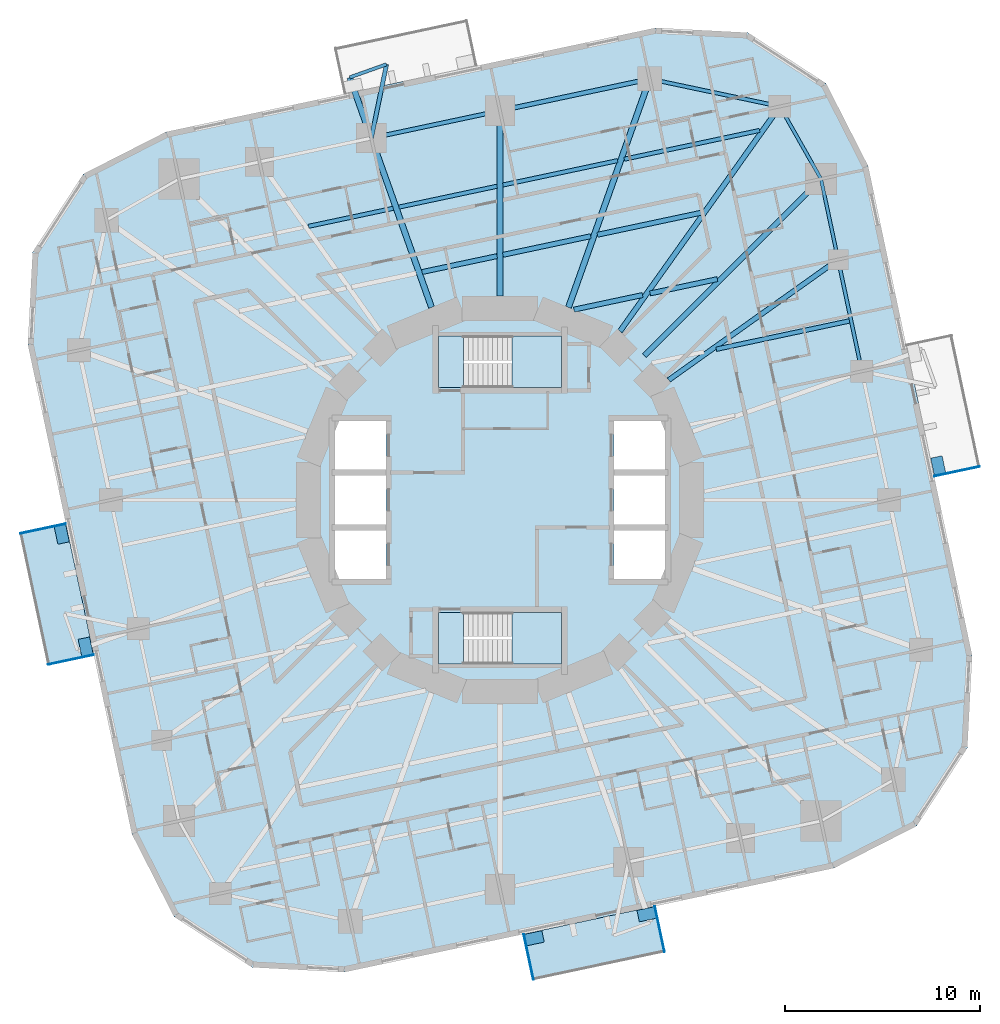
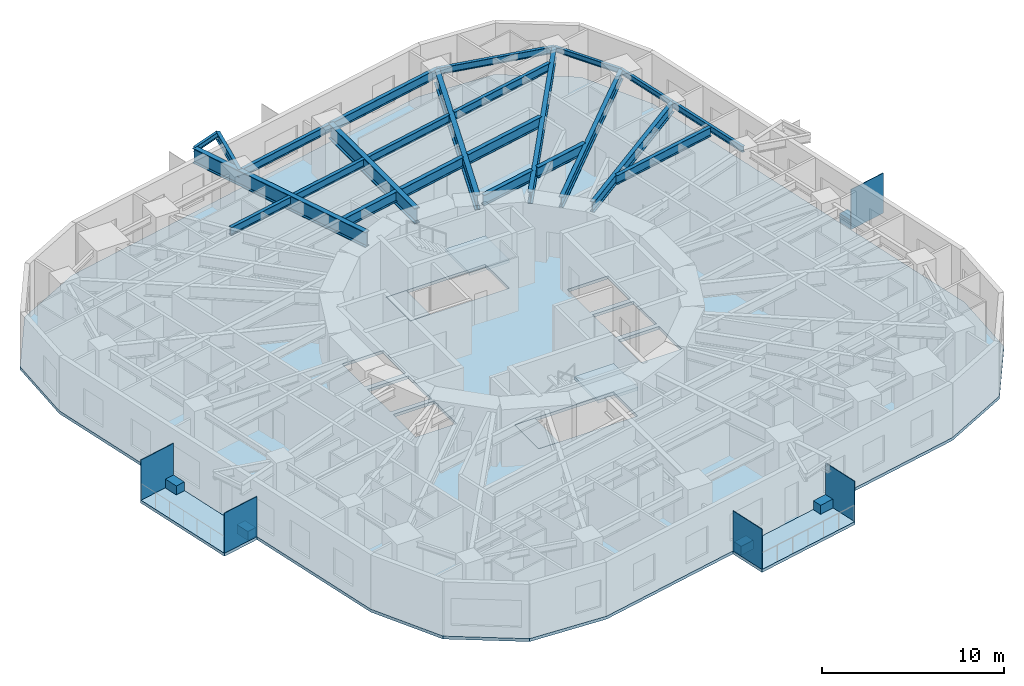
# One storey, part 3 of 14: 24 beams, 10 plates, 7 slabs, 2 elements without a shape of their own.
"""IFC4 building model written with IfcOpenShell, lengths in metres."""

from ifc_helpers import new_model, si_unit, direction, frame, origin, origin_2d, place, context, subcontext, project, spatial, polyline, rectangle, i_section, outline, extrude, material, layer, layer_set, material_profile, profile_set, type_object, element, aggregate, save


model = new_model("IFC4")

# Units and contexts
model_context = context("Model", 3, precision=1e-05, world=origin(), true_north=direction((0.0, 1.0)))
body_context = subcontext(model_context, "Body", "Model", "MODEL_VIEW")
ifc_project = project(units=[si_unit("LENGTHUNIT", "METRE"), si_unit("AREAUNIT", "SQUARE_METRE"), si_unit("VOLUMEUNIT", "CUBIC_METRE"), si_unit("PLANEANGLEUNIT", "RADIAN"), si_unit("MASSUNIT", "GRAM", prefix="KILO")], contexts=[model_context])

# Site, building, storey
site_placement = place(None, origin())
site = spatial("IfcSite", under=ifc_project, at=site_placement, CompositionType="ELEMENT")
building_placement = place(site_placement, origin())
building = spatial("IfcBuilding", under=site, at=building_placement, Name="Nakasero Lantern House", CompositionType="ELEMENT")
storey_placement = place(building_placement, frame((0.0, 0.0, 116.550048828125)))
storey = spatial("IfcBuildingStorey", under=building, at=storey_placement, Name="L28", CompositionType="ELEMENT", Elevation=116.550048828125)

# Beams
ifc_material_1 = material(Name="Steel S355", Category="steel")
ifc_material_profile_1 = material_profile(ifc_material_1, i_section(OverallWidth=0.2138671875, OverallDepth=0.549072265625, WebThickness=0.0146484375, FlangeThickness=0.023681640625, FilletRadius=0.0126953125, at=origin_2d()), Name="UB 533x210x138")
ifc_profile_set_1 = profile_set([ifc_material_profile_1], Name="Steel S355")
beam_type_1 = type_object("IfcBeamType", Name="Balcony splay beam UB 533x210x138", PredefinedType="BEAM", material=ifc_profile_set_1)
beam_1_placement = place(storey_placement, frame((-6.590087890625, 18.534912109375, 3.37548828125), z_axis=(0.201831438605, 0.979420272605, 0.0), x_axis=(-0.979420272605, 0.201831438605, 0.0)))
element("IfcBeam", 1, at=beam_1_placement, inside=storey, type_object=beam_type_1, Name="Balcony splay beam L29 B3-C10A", PredefinedType="BEAM", context=body_context, shape_type="SweptSolid", body=[
    extrude(i_section(OverallWidth=0.2138671875, OverallDepth=0.549072265625, WebThickness=0.0146484375, FlangeThickness=0.023681640625, FilletRadius=0.0126953125, at=origin_2d()), origin(), (0.0, 0.0, 1.0), 3.858642578125),
])
ifc_material_2 = material(Name="Steel S355", Category="steel")
ifc_material_profile_2 = material_profile(ifc_material_2, i_section(OverallWidth=0.17138671875, OverallDepth=0.35498046875, WebThickness=0.00732421875, FlangeThickness=0.011474609375, FilletRadius=0.01025390625, at=origin_2d()), Name="UB 356x171x51")
ifc_profile_set_2 = profile_set([ifc_material_profile_2], Name="Steel S355")
beam_type_2 = type_object("IfcBeamType", Name="Balcony tie beam UB 356x171x51", PredefinedType="BEAM", material=ifc_profile_set_2)
beam_2_placement = place(storey_placement, frame((-5.811279296875, 22.314208984375, 3.472412109375), z_axis=(-0.942196708721, -0.335060236487, 0.0), x_axis=(0.335060236487, -0.942196708721, 0.0)))
element("IfcBeam", 2, at=beam_2_placement, inside=storey, type_object=beam_type_2, Name="Balcony tie beam L29 B3-C10", PredefinedType="BEAM", context=body_context, shape_type="SweptSolid", body=[
    extrude(i_section(OverallWidth=0.17138671875, OverallDepth=0.35498046875, WebThickness=0.00732421875, FlangeThickness=0.011474609375, FilletRadius=0.01025390625, at=origin_2d()), origin(), (0.0, 0.0, 1.0), 2.000244140625),
])
ifc_material_3 = material(Name="Steel S355", Category="steel")
ifc_material_profile_3 = material_profile(ifc_material_3, i_section(OverallWidth=0.2099609375, OverallDepth=0.53662109375, WebThickness=0.0107421875, FlangeThickness=0.017333984375, FilletRadius=0.0126953125, at=origin_2d()), Name="UB 533x210x101")
ifc_profile_set_3 = profile_set([ifc_material_profile_3], Name="Steel S355")
beam_type_3 = type_object("IfcBeamType", Name="Infill beam UB 533x210x101", PredefinedType="JOIST", material=ifc_profile_set_3)
beam_3_placement = place(storey_placement, frame((-9.810302734375, 14.0166015625, 3.381591796875), z_axis=(0.978149057111, 0.207904838982, 0.0), x_axis=(-0.207904838982, 0.978149057111, 0.0)))
element("IfcBeam", 3, at=beam_3_placement, inside=storey, type_object=beam_type_3, Name="Infill beam L29 12.4", PredefinedType="JOIST", context=body_context, shape_type="SweptSolid", body=[
    extrude(i_section(OverallWidth=0.2099609375, OverallDepth=0.53662109375, WebThickness=0.0107421875, FlangeThickness=0.017333984375, FilletRadius=0.0126953125, at=origin_2d()), origin(), (0.0, 0.0, 1.0), 4.435302734375),
])
beam_4_placement = place(storey_placement, frame((-5.173828125, 15.002197265625, 3.381591796875), z_axis=(0.978153894908, 0.207882076853, 0.0), x_axis=(-0.207882076853, 0.978153894908, 0.0)))
element("IfcBeam", 4, at=beam_4_placement, inside=storey, type_object=beam_type_3, Name="Infill beam L29 12.5", PredefinedType="JOIST", context=body_context, shape_type="SweptSolid", body=[
    extrude(i_section(OverallWidth=0.2099609375, OverallDepth=0.53662109375, WebThickness=0.0107421875, FlangeThickness=0.017333984375, FilletRadius=0.0126953125, at=origin_2d()), origin(), (0.0, 0.0, 1.0), 5.13330078125),
])
beam_5_placement = place(storey_placement, frame((0.152587890625, 16.13427734375, 3.381591796875), z_axis=(0.978149438519, 0.207903044531, 0.0), x_axis=(-0.207903044531, 0.978149438519, 0.0)))
element("IfcBeam", 5, at=beam_5_placement, inside=storey, type_object=beam_type_3, Name="Infill beam L29 12.6", PredefinedType="JOIST", context=body_context, shape_type="SweptSolid", body=[
    extrude(i_section(OverallWidth=0.2099609375, OverallDepth=0.53662109375, WebThickness=0.0107421875, FlangeThickness=0.017333984375, FilletRadius=0.0126953125, at=origin_2d()), origin(), (0.0, 0.0, 1.0), 5.99951171875),
])
beam_6_placement = place(storey_placement, frame((6.365478515625, 17.454833984375, 3.381591796875), z_axis=(0.978149480204, 0.207902848411, 0.0), x_axis=(-0.207902848411, 0.978149480204, 0.0)))
element("IfcBeam", 6, at=beam_6_placement, inside=storey, type_object=beam_type_3, Name="Infill beam L29 12.7", PredefinedType="JOIST", context=body_context, shape_type="SweptSolid", body=[
    extrude(i_section(OverallWidth=0.2099609375, OverallDepth=0.53662109375, WebThickness=0.0107421875, FlangeThickness=0.017333984375, FilletRadius=0.0126953125, at=origin_2d()), origin(), (0.0, 0.0, 1.0), 7.085693359375),
])
ifc_material_4 = material(Name="Steel S355", Category="steel")
ifc_material_profile_4 = material_profile(ifc_material_4, i_section(OverallWidth=0.2275390625, OverallDepth=0.6025390625, WebThickness=0.010498046875, FlangeThickness=0.014892578125, FilletRadius=0.0126953125, at=origin_2d()), Name="UB 610x229x101")
ifc_profile_set_4 = profile_set([ifc_material_profile_4], Name="Steel S355")
beam_type_4 = type_object("IfcBeamType", Name="Infill beam UB 610x229x101", PredefinedType="JOIST", material=ifc_profile_set_4)
beam_7_placement = place(storey_placement, frame((11.077880859375, 7.721923828125, 3.3486328125), z_axis=(0.978143535939, 0.207930813255, 0.0), x_axis=(-0.207930813255, 0.978143535939, 0.0)))
element("IfcBeam", 7, at=beam_7_placement, inside=storey, type_object=beam_type_4, Name="Infill beam L29 09.3", PredefinedType="JOIST", context=body_context, shape_type="SweptSolid", body=[
    extrude(i_section(OverallWidth=0.2275390625, OverallDepth=0.6025390625, WebThickness=0.010498046875, FlangeThickness=0.014892578125, FilletRadius=0.0126953125, at=origin_2d()), origin(), (0.0, 0.0, 1.0), 6.9697265625),
])
ifc_material_5 = material(Name="Steel S355", Category="steel")
ifc_material_profile_5 = material_profile(ifc_material_5, i_section(OverallWidth=0.253662109375, OverallDepth=0.68359375, WebThickness=0.012451171875, FlangeThickness=0.01904296875, FilletRadius=0.01513671875, at=origin_2d()), Name="UB 686x254x140")
ifc_profile_set_5 = profile_set([ifc_material_profile_5], Name="Steel S355")
beam_type_5 = type_object("IfcBeamType", Name="Infill beam UB 686x254x140", PredefinedType="JOIST", material=ifc_profile_set_5)
beam_8_placement = place(storey_placement, frame((-3.990966796875, 11.67529296875, 3.30810546875), z_axis=(0.978145250615, 0.20792274695, 0.0), x_axis=(-0.20792274695, 0.978145250615, 0.0)))
element("IfcBeam", 8, at=beam_8_placement, inside=storey, type_object=beam_type_5, Name="Infill beam L29 11.4", PredefinedType="JOIST", context=body_context, shape_type="SweptSolid", body=[
    extrude(i_section(OverallWidth=0.253662109375, OverallDepth=0.68359375, WebThickness=0.012451171875, FlangeThickness=0.01904296875, FilletRadius=0.01513671875, at=origin_2d()), origin(), (0.0, 0.0, 1.0), 3.924072265625),
])
beam_9_placement = place(storey_placement, frame((0.152587890625, 12.55615234375, 3.30810546875), z_axis=(0.978148041119, 0.207909618957, 0.0), x_axis=(-0.207909618957, 0.978148041119, 0.0)))
element("IfcBeam", 9, at=beam_9_placement, inside=storey, type_object=beam_type_5, Name="Infill beam L29 11.5", PredefinedType="JOIST", context=body_context, shape_type="SweptSolid", body=[
    extrude(i_section(OverallWidth=0.253662109375, OverallDepth=0.68359375, WebThickness=0.012451171875, FlangeThickness=0.01904296875, FilletRadius=0.01513671875, at=origin_2d()), origin(), (0.0, 0.0, 1.0), 4.592529296875),
])
beam_10_placement = place(storey_placement, frame((4.989013671875, 13.584228515625, 3.30810546875), z_axis=(0.978155764637, 0.207873278962, 0.0), x_axis=(-0.207873278962, 0.978155764637, 0.0)))
element("IfcBeam", 10, at=beam_10_placement, inside=storey, type_object=beam_type_5, Name="Infill beam L29 11.6", PredefinedType="JOIST", context=body_context, shape_type="SweptSolid", body=[
    extrude(i_section(OverallWidth=0.253662109375, OverallDepth=0.68359375, WebThickness=0.012451171875, FlangeThickness=0.01904296875, FilletRadius=0.01513671875, at=origin_2d()), origin(), (0.0, 0.0, 1.0), 5.428466796875),
])
ifc_material_6 = material(Name="Steel S355", Category="steel")
ifc_material_profile_6 = material_profile(ifc_material_6, i_section(OverallWidth=0.255859375, OverallDepth=0.69287109375, WebThickness=0.014404296875, FlangeThickness=0.023681640625, FilletRadius=0.01513671875, at=origin_2d()), Name="UB 686x254x170")
ifc_profile_set_6 = profile_set([ifc_material_profile_6], Name="Steel S355")
beam_type_6 = type_object("IfcBeamType", Name="Infill beam UB 686x254x170", PredefinedType="JOIST", material=ifc_profile_set_6)
beam_11_placement = place(storey_placement, frame((3.78759765625, 9.75048828125, 3.303466796875), z_axis=(0.978149176892, 0.207904275439, 0.0), x_axis=(-0.207904275439, 0.978149176892, 0.0)))
element("IfcBeam", 11, at=beam_11_placement, inside=storey, type_object=beam_type_6, Name="Infill beam L29 10.4", PredefinedType="JOIST", context=body_context, shape_type="SweptSolid", body=[
    extrude(i_section(OverallWidth=0.255859375, OverallDepth=0.69287109375, WebThickness=0.014404296875, FlangeThickness=0.023681640625, FilletRadius=0.01513671875, at=origin_2d()), origin(), (0.0, 0.0, 1.0), 3.59228515625),
])
beam_12_placement = place(storey_placement, frame((7.686767578125, 10.579345703125, 3.303466796875), z_axis=(0.97814493323, 0.20792424004, 0.0), x_axis=(-0.20792424004, 0.97814493323, 0.0)))
element("IfcBeam", 12, at=beam_12_placement, inside=storey, type_object=beam_type_6, Name="Infill beam L29 10.5", PredefinedType="JOIST", context=body_context, shape_type="SweptSolid", body=[
    extrude(i_section(OverallWidth=0.255859375, OverallDepth=0.69287109375, WebThickness=0.014404296875, FlangeThickness=0.023681640625, FilletRadius=0.01513671875, at=origin_2d()), origin(), (0.0, 0.0, 1.0), 3.5224609375),
])
ifc_material_7 = material(Name="Steel S355", Category="steel")
ifc_material_profile_7 = material_profile(ifc_material_7, i_section(OverallWidth=0.300048828125, OverallDepth=0.989990234375, WebThickness=0.0166015625, FlangeThickness=0.031005859375, FilletRadius=0.030029296875, at=origin_2d()), Name="UB 1016x305x272")
ifc_profile_set_7 = profile_set([ifc_material_profile_7], Name="Steel S355")
beam_type_7 = type_object("IfcBeamType", Name="Primary beam UB 1016x305x272, span 12 to 15 m", PredefinedType="BEAM", material=ifc_profile_set_7)
beam_13_placement = place(storey_placement, frame((7.667724609375, 21.5654296875, 3.15478515625), z_axis=(-0.335011995103, -0.942213862739, 0.0), x_axis=(0.942213862739, -0.335011995103, 0.0)))
element("IfcBeam", 13, at=beam_13_placement, inside=storey, type_object=beam_type_7, Name="Primary beam L29 B3-C08", PredefinedType="BEAM", context=body_context, shape_type="SweptSolid", body=[
    extrude(i_section(OverallWidth=0.300048828125, OverallDepth=0.989990234375, WebThickness=0.0166015625, FlangeThickness=0.031005859375, FilletRadius=0.030029296875, at=origin_2d()), origin(), (0.0, 0.0, 1.0), 12.41650390625),
])
ifc_material_8 = material(Name="Steel S355", Category="steel")
ifc_material_profile_8 = material_profile(ifc_material_8, i_section(OverallWidth=0.302001953125, OverallDepth=1.008056640625, WebThickness=0.02099609375, FlangeThickness=0.0400390625, FilletRadius=0.030029296875, at=origin_2d()), Name="UB 1016x305x349")
ifc_profile_set_8 = profile_set([ifc_material_profile_8], Name="Steel S355")
beam_type_8 = type_object("IfcBeamType", Name="Primary beam UB 1016x305x349, span 9 to 12 m", PredefinedType="BEAM", material=ifc_profile_set_8)
beam_14_placement = place(storey_placement, frame((-7.69580078125, 21.64404296875, 3.14599609375), z_axis=(0.335020841845, -0.942210717159, 0.0), x_axis=(0.942210717159, 0.335020841845, 0.0)))
element("IfcBeam", 14, at=beam_14_placement, inside=storey, type_object=beam_type_8, Name="Primary beam L29 B3-C10", PredefinedType="BEAM", context=body_context, shape_type="SweptSolid", body=[
    extrude(i_section(OverallWidth=0.302001953125, OverallDepth=1.008056640625, WebThickness=0.02099609375, FlangeThickness=0.0400390625, FilletRadius=0.030029296875, at=origin_2d()), origin(), (0.0, 0.0, 1.0), 12.5),
])
ifc_material_9 = material(Name="Steel S355", Category="steel")
ifc_material_profile_9 = material_profile(ifc_material_9, i_section(OverallWidth=0.305419921875, OverallDepth=1.026123046875, WebThickness=0.02685546875, FlangeThickness=0.049072265625, FilletRadius=0.030029296875, at=origin_2d()), Name="UB 1016x305x437")
ifc_profile_set_9 = profile_set([ifc_material_profile_9], Name="Steel S355")
beam_type_9 = type_object("IfcBeamType", Name="Primary beam UB 1016x305x437, span 9 to 12 m", PredefinedType="BEAM", material=ifc_profile_set_9)
beam_15_placement = place(storey_placement, frame((0.0, 19.935546875, 3.136962890625), z_axis=(0.0, -1.0, 0.0), x_axis=(1.0, 0.0, 0.0)))
element("IfcBeam", 15, at=beam_15_placement, inside=storey, type_object=beam_type_9, Name="Primary beam L29 B3-C09", PredefinedType="BEAM", context=body_context, shape_type="SweptSolid", body=[
    extrude(i_section(OverallWidth=0.305419921875, OverallDepth=1.026123046875, WebThickness=0.02685546875, FlangeThickness=0.049072265625, FilletRadius=0.030029296875, at=origin_2d()), origin(), (0.0, 0.0, 1.0), 9.477783203125),
])
ifc_material_10 = material(Name="Steel S355", Category="steel")
ifc_material_profile_10 = material_profile(ifc_material_10, i_section(OverallWidth=0.253662109375, OverallDepth=0.68359375, WebThickness=0.012451171875, FlangeThickness=0.01904296875, FilletRadius=0.01513671875, at=origin_2d()), Name="UB 686x254x140")
ifc_profile_set_10 = profile_set([ifc_material_profile_10], Name="Steel S355")
beam_type_10 = type_object("IfcBeamType", Name="Primary beam UB 686x254x140, span 12 to 15 m", PredefinedType="BEAM", material=ifc_profile_set_10)
beam_16_placement = place(storey_placement, frame((16.44091796875, 16.44091796875, 3.30810546875), z_axis=(-0.707106781187, -0.707106781187, 0.0), x_axis=(0.707106781187, -0.707106781187, 0.0)))
element("IfcBeam", 16, at=beam_16_placement, inside=storey, type_object=beam_type_10, Name="Primary beam L29 B3-C06", PredefinedType="BEAM", context=body_context, shape_type="SweptSolid", body=[
    extrude(i_section(OverallWidth=0.253662109375, OverallDepth=0.68359375, WebThickness=0.012451171875, FlangeThickness=0.01904296875, FilletRadius=0.01513671875, at=origin_2d()), origin(), (0.0, 0.0, 1.0), 12.793212890625),
])
ifc_material_11 = material(Name="Steel S355", Category="steel")
ifc_material_profile_11 = material_profile(ifc_material_11, i_section(OverallWidth=0.253662109375, OverallDepth=0.68359375, WebThickness=0.012451171875, FlangeThickness=0.01904296875, FilletRadius=0.01513671875, at=origin_2d()), Name="UB 686x254x140")
ifc_profile_set_11 = profile_set([ifc_material_profile_11], Name="Steel S355")
beam_type_11 = type_object("IfcBeamType", Name="Primary beam UB 686x254x140, span 9 to 12 m", PredefinedType="BEAM", material=ifc_profile_set_11)
beam_17_placement = place(storey_placement, frame((17.318115234375, 12.31494140625, 3.30810546875), z_axis=(-0.814957491022, -0.579520739774, 0.0), x_axis=(0.579520739774, -0.814957491022, 0.0)))
element("IfcBeam", 17, at=beam_17_placement, inside=storey, type_object=beam_type_11, Name="Primary beam L29 B3-C05", PredefinedType="BEAM", context=body_context, shape_type="SweptSolid", body=[
    extrude(i_section(OverallWidth=0.253662109375, OverallDepth=0.68359375, WebThickness=0.012451171875, FlangeThickness=0.01904296875, FilletRadius=0.01513671875, at=origin_2d()), origin(), (0.0, 0.0, 1.0), 10.64453125),
])
ifc_material_12 = material(Name="Steel S355", Category="steel")
ifc_material_profile_12 = material_profile(ifc_material_12, i_section(OverallWidth=0.2666015625, OverallDepth=0.76220703125, WebThickness=0.014404296875, FlangeThickness=0.021484375, FilletRadius=0.0166015625, at=origin_2d()), Name="UB 762x267x173")
ifc_profile_set_12 = profile_set([ifc_material_profile_12], Name="Steel S355")
beam_type_12 = type_object("IfcBeamType", Name="Primary beam UB 762x267x173, span 12 to 15 m", PredefinedType="BEAM", material=ifc_profile_set_12)
beam_18_placement = place(storey_placement, frame((14.33349609375, 20.15625, 3.268798828125), z_axis=(-0.57953679421, -0.814946074386, 0.0), x_axis=(0.814946074386, -0.57953679421, 0.0)))
element("IfcBeam", 18, at=beam_18_placement, inside=storey, type_object=beam_type_12, Name="Primary beam L29 B3-C07", PredefinedType="BEAM", context=body_context, shape_type="SweptSolid", body=[
    extrude(i_section(OverallWidth=0.2666015625, OverallDepth=0.76220703125, WebThickness=0.014404296875, FlangeThickness=0.021484375, FilletRadius=0.0166015625, at=origin_2d()), origin(), (0.0, 0.0, 1.0), 14.127197265625),
])
ifc_material_13 = material(Name="Steel S355", Category="steel")
ifc_material_profile_13 = material_profile(ifc_material_13, i_section(OverallWidth=0.17138671875, OverallDepth=0.35498046875, WebThickness=0.00732421875, FlangeThickness=0.011474609375, FilletRadius=0.01025390625, at=origin_2d()), Name="UB 356x171x51")
ifc_profile_set_13 = profile_set([ifc_material_profile_13], Name="Steel S355")
beam_type_13 = type_object("IfcBeamType", Name="Ring beam UB 356x171x51", PredefinedType="BEAM", material=ifc_profile_set_13)
beam_19_placement = place(storey_placement, frame((17.318115234375, 12.31494140625, 3.472412109375), z_axis=(-0.207955665195, 0.978138252658, 0.0), x_axis=(-0.978138252658, -0.207955665195, 0.0)))
element("IfcBeam", 19, at=beam_19_placement, inside=storey, type_object=beam_type_13, Name="Ring beam L29 B3-C05", PredefinedType="BEAM", context=body_context, shape_type="SweptSolid", body=[
    extrude(i_section(OverallWidth=0.17138671875, OverallDepth=0.35498046875, WebThickness=0.00732421875, FlangeThickness=0.011474609375, FilletRadius=0.01025390625, at=origin_2d()), origin(), (0.0, 0.0, 1.0), 4.21826171875),
])
beam_20_placement = place(storey_placement, frame((16.44091796875, 16.44091796875, 3.472412109375), z_axis=(-0.493378832737, 0.869814536213, 0.0), x_axis=(-0.869814536213, -0.493378832737, 0.0)))
element("IfcBeam", 20, at=beam_20_placement, inside=storey, type_object=beam_type_13, Name="Ring beam L29 B3-C06", PredefinedType="BEAM", context=body_context, shape_type="SweptSolid", body=[
    extrude(i_section(OverallWidth=0.17138671875, OverallDepth=0.35498046875, WebThickness=0.00732421875, FlangeThickness=0.011474609375, FilletRadius=0.01025390625, at=origin_2d()), origin(), (0.0, 0.0, 1.0), 4.271484375),
])
ifc_material_14 = material(Name="Steel S355", Category="steel")
ifc_material_profile_14 = material_profile(ifc_material_14, i_section(OverallWidth=0.177978515625, OverallDepth=0.406494140625, WebThickness=0.0078125, FlangeThickness=0.0126953125, FilletRadius=0.01025390625, at=origin_2d()), Name="UB 406x178x60")
ifc_profile_set_14 = profile_set([ifc_material_profile_14], Name="Steel S355")
beam_type_14 = type_object("IfcBeamType", Name="Ring beam UB 406x178x60", PredefinedType="BEAM", material=ifc_profile_set_14)
beam_21_placement = place(storey_placement, frame((18.534912109375, 6.590087890625, 3.44677734375), z_axis=(-0.207902159541, 0.978149626621, 0.0), x_axis=(-0.978149626621, -0.207902159541, 0.0)))
element("IfcBeam", 21, at=beam_21_placement, inside=storey, type_object=beam_type_14, Name="Ring beam L29 B3-C04", PredefinedType="BEAM", context=body_context, shape_type="SweptSolid", body=[
    extrude(i_section(OverallWidth=0.177978515625, OverallDepth=0.406494140625, WebThickness=0.0078125, FlangeThickness=0.0126953125, FilletRadius=0.01025390625, at=origin_2d()), origin(), (0.0, 0.0, 1.0), 5.852783203125),
])
ifc_material_15 = material(Name="Steel S355", Category="steel")
ifc_material_profile_15 = material_profile(ifc_material_15, i_section(OverallWidth=0.18994140625, OverallDepth=0.453369140625, WebThickness=0.008544921875, FlangeThickness=0.0126953125, FilletRadius=0.01025390625, at=origin_2d()), Name="UB 457x191x67")
ifc_profile_set_15 = profile_set([ifc_material_profile_15], Name="Steel S355")
beam_type_15 = type_object("IfcBeamType", Name="Ring beam UB 457x191x67", PredefinedType="BEAM", material=ifc_profile_set_15)
beam_22_placement = place(storey_placement, frame((14.33349609375, 20.15625, 3.42333984375), z_axis=(-0.978376066473, 0.206833925052, 0.0), x_axis=(-0.206833925052, -0.978376066473, 0.0)))
element("IfcBeam", 22, at=beam_22_placement, inside=storey, type_object=beam_type_15, Name="Ring beam L29 B3-C07", PredefinedType="BEAM", context=body_context, shape_type="SweptSolid", body=[
    extrude(i_section(OverallWidth=0.18994140625, OverallDepth=0.453369140625, WebThickness=0.008544921875, FlangeThickness=0.0126953125, FilletRadius=0.01025390625, at=origin_2d()), origin(), (0.0, 0.0, 1.0), 6.81298828125),
])
ifc_material_16 = material(Name="Steel S355", Category="steel")
ifc_material_profile_16 = material_profile(ifc_material_16, i_section(OverallWidth=0.2099609375, OverallDepth=0.53662109375, WebThickness=0.0107421875, FlangeThickness=0.017333984375, FilletRadius=0.0126953125, at=origin_2d()), Name="UB 533x210x101")
ifc_profile_set_16 = profile_set([ifc_material_profile_16], Name="Steel S355")
beam_type_16 = type_object("IfcBeamType", Name="Ring beam UB 533x210x101", PredefinedType="BEAM", material=ifc_profile_set_16)
beam_23_placement = place(storey_placement, frame((0.0, 19.935546875, 3.381591796875), z_axis=(-0.978151574702, -0.20789299389, 0.0), x_axis=(0.20789299389, -0.978151574702, 0.0)))
element("IfcBeam", 23, at=beam_23_placement, inside=storey, type_object=beam_type_16, Name="Ring beam L29 B3-C09", PredefinedType="BEAM", context=body_context, shape_type="SweptSolid", body=[
    extrude(i_section(OverallWidth=0.2099609375, OverallDepth=0.53662109375, WebThickness=0.0107421875, FlangeThickness=0.017333984375, FilletRadius=0.0126953125, at=origin_2d()), origin(), (0.0, 0.0, 1.0), 6.7373046875),
])
ifc_material_17 = material(Name="Steel S355", Category="steel")
ifc_material_profile_17 = material_profile(ifc_material_17, i_section(OverallWidth=0.22900390625, OverallDepth=0.6123046875, WebThickness=0.011962890625, FlangeThickness=0.01953125, FilletRadius=0.0126953125, at=origin_2d()), Name="UB 610x229x125")
ifc_profile_set_17 = profile_set([ifc_material_profile_17], Name="Steel S355")
beam_type_17 = type_object("IfcBeamType", Name="Ring beam UB 610x229x125", PredefinedType="BEAM", material=ifc_profile_set_17)
beam_24_placement = place(storey_placement, frame((7.667724609375, 21.5654296875, 3.34375), z_axis=(-0.978146105516, -0.207918725139, 0.0), x_axis=(0.207918725139, -0.978146105516, 0.0)))
element("IfcBeam", 24, at=beam_24_placement, inside=storey, type_object=beam_type_17, Name="Ring beam L29 B3-C08", PredefinedType="BEAM", context=body_context, shape_type="SweptSolid", body=[
    extrude(i_section(OverallWidth=0.22900390625, OverallDepth=0.6123046875, WebThickness=0.011962890625, FlangeThickness=0.01953125, FilletRadius=0.0126953125, at=origin_2d()), origin(), (0.0, 0.0, 1.0), 7.839111328125),
])

# Plates
ifc_material_18 = material(Name="Aluminium 6063-T6", Category="aluminium")
ifc_layer_1 = layer(ifc_material_18, 0.60009765625)
ifc_layer_set_1 = layer_set([ifc_layer_1], Name="Balcony planter 600x900")
plate_type_1 = type_object("IfcPlateType", Name="Balcony planter 600x900", PredefinedType="USERDEFINED", material=ifc_layer_set_1)
for number, where, z_axis, x_axis, name in (
    (25, (22.443603515625, 1.764892578125, 0.0), (0.0, 0.0, 1.0), (0.978147600734, 0.207911690818, 0.0), "Balcony PLANTER L28 BAL0A"),
    (26, (-22.443603515625, -1.764892578125, 0.0), (0.0, 0.0, 1.0), (-0.978147600734, -0.207911690818, 0.0), "Balcony PLANTER L28 BAL2A"),
    (27, (-21.220947265625, -7.516357421875, 0.0), (0.0, 0.0, 1.0), (-0.978147600734, -0.207911690818, 0.0), "Balcony PLANTER L28 BAL2B"),
    (28, (1.764892578125, -22.443603515625, 0.0), (0.0, 0.0, 1.0), (0.207911690818, -0.978147600734, 0.0), "Balcony PLANTER L28 BAL3A"),
    (29, (7.516357421875, -21.220947265625, 0.0), (0.0, 0.0, 1.0), (0.207911690818, -0.978147600734, 0.0), "Balcony PLANTER L28 BAL3B"),
):
    element("IfcPlate", number, at=place(storey_placement, frame(where, z_axis=z_axis, x_axis=x_axis)), inside=storey, type_object=plate_type_1, Name=name, ObjectType="PLANTER", PredefinedType="USERDEFINED", context=body_context, shape_type="SweptSolid", body=[
        extrude(rectangle(XDim=0.60009765625, YDim=0.89990234375, at=origin_2d()), origin(), (0.0, 0.0, 1.0), 0.60009765625),
    ])
ifc_material_19 = material(Name="Aluminium 6063-T6", Category="aluminium")
ifc_layer_2 = layer(ifc_material_19, 0.0400390625)
ifc_layer_set_2 = layer_set([ifc_layer_2], Name="Balcony screen 2400x2700")
plate_type_2 = type_object("IfcPlateType", Name="Balcony screen 2400x2700", PredefinedType="SHEET", material=ifc_layer_set_2)
for number, where, z_axis, x_axis, name in (
    (30, (23.40625, 1.468505859375, 0.0), (0.0, 0.0, 1.0), (0.978147600734, 0.207911690818, 0.0), "Balcony SCREEN L28 BAL0A"),
    (31, (-23.40625, -1.468505859375, 0.0), (0.0, 0.0, 1.0), (-0.978147600734, -0.207911690818, 0.0), "Balcony SCREEN L28 BAL2A"),
    (32, (-21.97998046875, -8.1787109375, 0.0), (0.0, 0.0, 1.0), (-0.978147600734, -0.207911690818, 0.0), "Balcony SCREEN L28 BAL2B"),
    (33, (1.468505859375, -23.40625, 0.0), (0.0, 0.0, 1.0), (0.207911690818, -0.978147600734, 0.0), "Balcony SCREEN L28 BAL3A"),
    (34, (8.1787109375, -21.97998046875, 0.0), (0.0, 0.0, 1.0), (0.207911690818, -0.978147600734, 0.0), "Balcony SCREEN L28 BAL3B"),
):
    element("IfcPlate", number, at=place(storey_placement, frame(where, z_axis=z_axis, x_axis=x_axis)), inside=storey, type_object=plate_type_2, Name=name, PredefinedType="SHEET", context=body_context, shape_type="SweptSolid", body=[
        extrude(rectangle(XDim=2.39990234375, YDim=0.0400390625, at=origin_2d()), origin(), (0.0, 0.0, 1.0), 2.699951171875),
    ])

# Slabs
ifc_material_20 = material(Name="Concrete C35/45", Category="concrete")
ifc_layer_3 = layer(ifc_material_20, 0.199951171875)
ifc_layer_set_3 = layer_set([ifc_layer_3], Name="Balcony slab 200")
slab_type_1 = type_object("IfcSlabType", Name="Balcony slab 200", PredefinedType="USERDEFINED", material=ifc_layer_set_3)
slab_1_placement = place(storey_placement, frame((0.0, 0.0, -0.199951171875)))
element("IfcSlab", 35, at=slab_1_placement, inside=storey, type_object=slab_type_1, Name="Balcony L28 BAL2", ObjectType="BALCONY", PredefinedType="USERDEFINED", context=body_context, shape_type="SweptSolid", body=[
    extrude(outline(polyline([(-22.236572265625, -1.199462890625), (-24.583984375, -1.698486328125), (-23.1494140625, -8.44775390625), (-20.802001953125, -7.94873046875), (-22.236572265625, -1.199462890625)])), origin(), (0.0, 0.0, 1.0), 0.199951171875),
])
slab_2_placement = place(storey_placement, frame((0.0, 0.0, -0.199951171875)))
element("IfcSlab", 36, at=slab_2_placement, inside=storey, type_object=slab_type_1, Name="Balcony L28 BAL3", ObjectType="BALCONY", PredefinedType="USERDEFINED", context=body_context, shape_type="SweptSolid", body=[
    extrude(outline(polyline([(1.199462890625, -22.236572265625), (1.698486328125, -24.583984375), (8.44775390625, -23.1494140625), (7.94873046875, -20.802001953125), (1.199462890625, -22.236572265625)])), origin(), (0.0, 0.0, 1.0), 0.199951171875),
])
ifc_material_21 = material(Name="Concrete C35/45", Category="concrete")
ifc_layer_4 = layer(ifc_material_21, 0.199951171875)
ifc_layer_set_4 = layer_set([ifc_layer_4], Name="Composite floor slab 200")
slab_type_2 = type_object("IfcSlabType", Name="Composite floor slab 200", PredefinedType="FLOOR", material=ifc_layer_set_4)
slab_3_placement = place(storey_placement, frame((0.0, 0.0, -0.199951171875)))
element("IfcSlab", 37, at=slab_3_placement, inside=storey, type_object=slab_type_2, Name="Floor slab L28", PredefinedType="FLOOR", context=body_context, shape_type="SweptSolid", body=[
    extrude(outline(polyline([(18.85791015625, 17.09423828125), (16.696044921875, 21.337646484375), (12.701904296875, 23.931396484375), (7.9462890625, 24.180419921875), (-17.09423828125, 18.85791015625), (-21.337646484375, 16.696044921875), (-23.931396484375, 12.701904296875), (-24.180419921875, 7.9462890625), (-18.85791015625, -17.09423828125), (-16.696044921875, -21.337646484375), (-12.701904296875, -23.931396484375), (-7.9462890625, -24.180419921875), (17.09423828125, -18.85791015625), (21.337646484375, -16.696044921875), (23.931396484375, -12.701904296875), (24.180419921875, -7.9462890625), (18.85791015625, 17.09423828125)]), holes=[polyline([(-8.449951171875, -4.050048828125), (-5.85009765625, -4.050048828125), (-5.85009765625, -1.550048828125), (-8.449951171875, -1.550048828125), (-8.449951171875, -4.050048828125)]), polyline([(-8.449951171875, -1.25), (-5.85009765625, -1.25), (-5.85009765625, 1.25), (-8.449951171875, 1.25), (-8.449951171875, -1.25)]), polyline([(-8.449951171875, 1.550048828125), (-5.85009765625, 1.550048828125), (-5.85009765625, 4.050048828125), (-8.449951171875, 4.050048828125), (-8.449951171875, 1.550048828125)]), polyline([(5.85009765625, -4.050048828125), (8.449951171875, -4.050048828125), (8.449951171875, -1.550048828125), (5.85009765625, -1.550048828125), (5.85009765625, -4.050048828125)]), polyline([(5.85009765625, -1.25), (8.449951171875, -1.25), (8.449951171875, 1.25), (5.85009765625, 1.25), (5.85009765625, -1.25)]), polyline([(5.85009765625, 1.550048828125), (8.449951171875, 1.550048828125), (8.449951171875, 4.050048828125), (5.85009765625, 4.050048828125), (5.85009765625, 1.550048828125)]), polyline([(-3.14990234375, 5.75), (3.14990234375, 5.75), (3.14990234375, 8.39990234375), (-3.14990234375, 8.39990234375), (-3.14990234375, 5.75)]), polyline([(-3.14990234375, -8.39990234375), (3.14990234375, -8.39990234375), (3.14990234375, -5.75), (-3.14990234375, -5.75), (-3.14990234375, -8.39990234375)])]), origin(), (0.0, 0.0, 1.0), 0.199951171875),
])

# Stair, slabs
ifc_material_22 = material(Name="Concrete C40/50", Category="concrete")
stair_type_1 = type_object("IfcStairType", Name="Escape stair ST1 22 risers", PredefinedType="HALF_TURN_STAIR", material=ifc_material_22)
stair_1_placement = place(storey_placement, origin())
stair_1 = element("IfcStair", 38, at=stair_1_placement, inside=storey, type_object=stair_type_1, Name="Escape stair ST1 L28", PredefinedType="HALF_TURN_STAIR")
ifc_material_23 = material(Name="Concrete C40/50", Category="concrete")
ifc_layer_5 = layer(ifc_material_23, 0.199951171875)
ifc_layer_set_5 = layer_set([ifc_layer_5], Name="Stair landing 200")
slab_type_3 = type_object("IfcSlabType", Name="Stair landing 200", PredefinedType="LANDING", material=ifc_layer_set_5)
slab_4_placement = place(storey_placement, frame((0.0, 0.0, -0.199951171875)))
slab_4 = element("IfcSlab", 39, at=slab_4_placement, type_object=slab_type_3, Name="ST1 landing 1", PredefinedType="LANDING", context=body_context, shape_type="SweptSolid", body=[
    extrude(outline(polyline([(-3.14990234375, 5.75), (-1.875, 5.75), (-1.875, 8.39990234375), (-3.14990234375, 8.39990234375), (-3.14990234375, 5.75)])), origin(), (0.0, 0.0, 1.0), 0.199951171875),
])
slab_5_placement = place(storey_placement, frame((0.0, 0.0, 1.724853515625)))
slab_5 = element("IfcSlab", 40, at=slab_5_placement, type_object=slab_type_3, Name="ST1 landing 2", PredefinedType="LANDING", context=body_context, shape_type="SweptSolid", body=[
    extrude(outline(polyline([(0.625, 5.75), (3.14990234375, 5.75), (3.14990234375, 8.39990234375), (0.625, 8.39990234375), (0.625, 5.75)])), origin(), (0.0, 0.0, 1.0), 0.2001953125),
])
aggregate(stair_1, [slab_4, slab_5])

ifc_material_24 = material(Name="Concrete C40/50", Category="concrete")
stair_type_2 = type_object("IfcStairType", Name="Escape stair ST2 22 risers", PredefinedType="HALF_TURN_STAIR", material=ifc_material_24)
stair_2_placement = place(storey_placement, origin())
stair_2 = element("IfcStair", 41, at=stair_2_placement, inside=storey, type_object=stair_type_2, Name="Escape stair ST2 L28", PredefinedType="HALF_TURN_STAIR")
slab_6_placement = place(storey_placement, frame((0.0, 0.0, -0.199951171875)))
slab_6 = element("IfcSlab", 42, at=slab_6_placement, type_object=slab_type_3, Name="ST2 landing 1", PredefinedType="LANDING", context=body_context, shape_type="SweptSolid", body=[
    extrude(outline(polyline([(-3.14990234375, -8.39990234375), (-1.875, -8.39990234375), (-1.875, -5.75), (-3.14990234375, -5.75), (-3.14990234375, -8.39990234375)])), origin(), (0.0, 0.0, 1.0), 0.199951171875),
])
slab_7_placement = place(storey_placement, frame((0.0, 0.0, 1.724853515625)))
slab_7 = element("IfcSlab", 43, at=slab_7_placement, type_object=slab_type_3, Name="ST2 landing 2", PredefinedType="LANDING", context=body_context, shape_type="SweptSolid", body=[
    extrude(outline(polyline([(0.625, -8.39990234375), (3.14990234375, -8.39990234375), (3.14990234375, -5.75), (0.625, -5.75), (0.625, -8.39990234375)])), origin(), (0.0, 0.0, 1.0), 0.2001953125),
])
aggregate(stair_2, [slab_6, slab_7])

save(model, "model.ifc")
